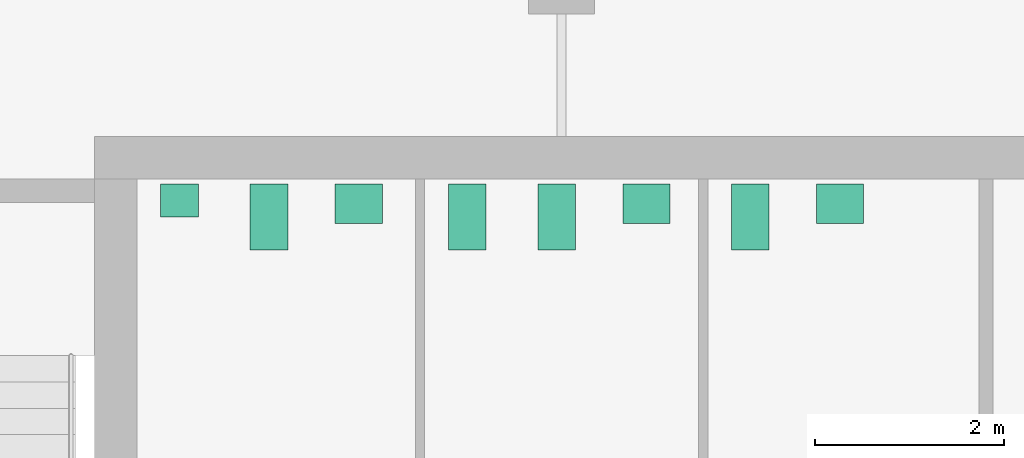
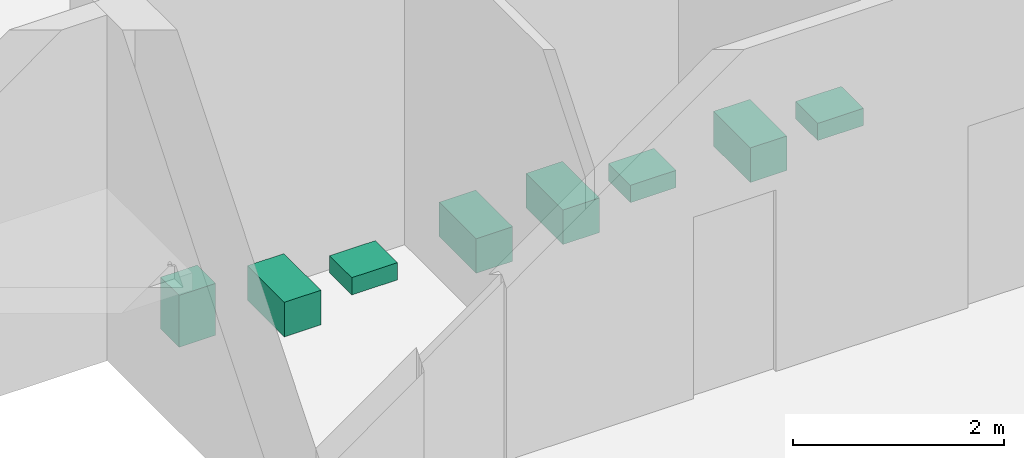
# One storey, part 7 of 7: 8 sanitary terminals.
"""IFC4 building model written with IfcOpenShell, lengths in metres."""

from ifc_helpers import new_model, si_unit, direction, frame, origin, origin_2d, place, context, subcontext, project, spatial, rectangle, extrude, material, type_object, element, save


model = new_model("IFC4")

# Units and contexts
model_context = context("Model", 3, precision=1e-05, world=origin(), true_north=direction((0.0, 1.0)))
body_context = subcontext(model_context, "Body", "Model", "MODEL_VIEW")
ifc_project = project(units=[si_unit("LENGTHUNIT", "METRE"), si_unit("AREAUNIT", "SQUARE_METRE"), si_unit("VOLUMEUNIT", "CUBIC_METRE"), si_unit("PLANEANGLEUNIT", "RADIAN"), si_unit("MASSUNIT", "GRAM", prefix="KILO")], contexts=[model_context])

# Site, building, storey
site_placement = place(None, origin())
site = spatial("IfcSite", under=ifc_project, at=site_placement, CompositionType="ELEMENT")
building_placement = place(site_placement, origin())
building = spatial("IfcBuilding", under=site, at=building_placement, Name="Cinnabar Reach Civic Tower", CompositionType="ELEMENT")
storey_placement = place(building_placement, frame((0.0, 0.0, 255.0)))
storey = spatial("IfcBuildingStorey", under=building, at=storey_placement, Name="L61", CompositionType="ELEMENT", Elevation=255.0)

# Sanitary terminals
ifc_material = material(Name="Vitreous china")
sanitary_terminal_type_1 = type_object("IfcSanitaryTerminalType", Name="T1 WC pan", PredefinedType="TOILETPAN", material=ifc_material)
for number, where, z_axis, x_axis, name in (
    (1, (5.9, 41.6, 0.0), (0.0, 0.0, 1.0), (1.0, 0.0, 0.0), "T1 WC pan 6108-2"),
    (2, (8.0, 41.6, 0.0), (0.0, 0.0, 1.0), (1.0, 0.0, 0.0), "T1 WC pan 6109-1"),
    (3, (8.95, 41.6, 0.0), (0.0, 0.0, 1.0), (1.0, 0.0, 0.0), "T1 WC pan 6109-2"),
    (4, (11.0, 41.6, 0.0), (0.0, 0.0, 1.0), (1.0, 0.0, 0.0), "T1 WC pan 6110-1"),
):
    element("IfcSanitaryTerminal", number, at=place(storey_placement, frame(where, z_axis=z_axis, x_axis=x_axis)), inside=storey, type_object=sanitary_terminal_type_1, Name=name, PredefinedType="TOILETPAN", context=body_context, shape_type="SweptSolid", body=[
        extrude(rectangle(XDim=0.4, YDim=0.7, at=origin_2d()), origin(), (0.0, 0.0, 1.0), 0.4),
    ])
sanitary_terminal_type_2 = type_object("IfcSanitaryTerminalType", Name="T1 urinal", PredefinedType="URINAL", material=ifc_material)
sanitary_terminal_placement = place(storey_placement, frame((4.95, 41.775, 0.0), z_axis=(0.0, 0.0, 1.0), x_axis=(1.0, 0.0, 0.0)))
element("IfcSanitaryTerminal", 5, at=sanitary_terminal_placement, inside=storey, type_object=sanitary_terminal_type_2, Name="T1 urinal 6108-1", PredefinedType="URINAL", context=body_context, shape_type="SweptSolid", body=[
    extrude(rectangle(XDim=0.4, YDim=0.35, at=origin_2d()), origin(), (0.0, 0.0, 1.0), 0.6),
])
sanitary_terminal_type_3 = type_object("IfcSanitaryTerminalType", Name="T1 wash basin", PredefinedType="WASHHANDBASIN", material=ifc_material)
for number, where, z_axis, x_axis, name in (
    (6, (6.85, 41.74, 0.0), (0.0, 0.0, 1.0), (1.0, 0.0, 0.0), "T1 wash basin 6108-3"),
    (7, (9.9, 41.74, 0.0), (0.0, 0.0, 1.0), (1.0, 0.0, 0.0), "T1 wash basin 6109-3"),
    (8, (11.95, 41.74, 0.0), (0.0, 0.0, 1.0), (1.0, 0.0, 0.0), "T1 wash basin 6110-2"),
):
    element("IfcSanitaryTerminal", number, at=place(storey_placement, frame(where, z_axis=z_axis, x_axis=x_axis)), inside=storey, type_object=sanitary_terminal_type_3, Name=name, PredefinedType="WASHHANDBASIN", context=body_context, shape_type="SweptSolid", body=[
        extrude(rectangle(XDim=0.5, YDim=0.42, at=origin_2d()), origin(), (0.0, 0.0, 1.0), 0.2),
    ])

save(model, "model.ifc")
